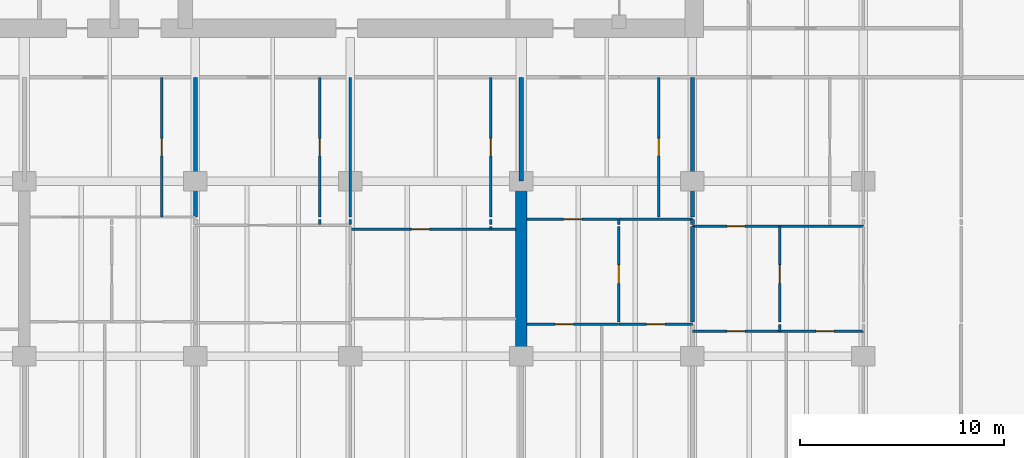
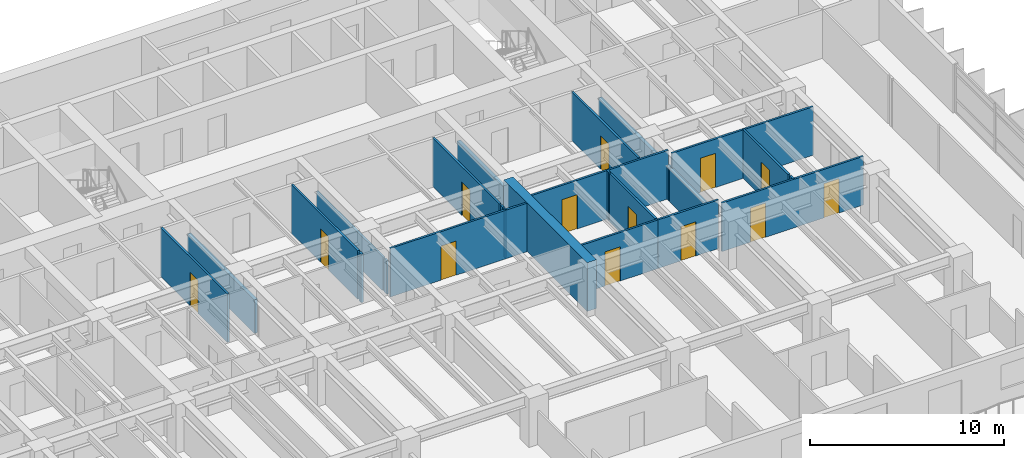
# One storey, part 9 of 18: 26 walls, 13 doors, 13 openings.
"""IFC4 building model written with IfcOpenShell, lengths in metres."""

from ifc_helpers import new_model, si_unit, direction, frame, frame_2d, origin, place, context, subcontext, project, spatial, rectangle, extrude, material, layer, layer_set, type_object, element, fill, save


model = new_model("IFC4")

# Units and contexts
model_context = context("Model", 3, precision=1e-05, world=origin(), true_north=direction((0.0, 1.0)))
body_context = subcontext(model_context, "Body", "Model", "MODEL_VIEW")
ifc_project = project(units=[si_unit("LENGTHUNIT", "METRE"), si_unit("AREAUNIT", "SQUARE_METRE"), si_unit("VOLUMEUNIT", "CUBIC_METRE"), si_unit("PLANEANGLEUNIT", "RADIAN"), si_unit("MASSUNIT", "GRAM", prefix="KILO")], contexts=[model_context])

# Site, building, storey
site_placement = place(None, origin())
site = spatial("IfcSite", under=ifc_project, at=site_placement, CompositionType="ELEMENT")
building_placement = place(site_placement, origin())
building = spatial("IfcBuilding", under=site, at=building_placement, Name="Caelmar Bay Residences", CompositionType="ELEMENT")
storey_placement = place(building_placement, frame((0.0, 0.0, 36.60009765625)))
storey = spatial("IfcBuildingStorey", under=building, at=storey_placement, Name="L08", CompositionType="ELEMENT", Elevation=36.60009765625)

# Wall
ifc_material_1 = material(Name="Concrete f'c 70 MPa (10,000 psi)", Category="concrete")
ifc_layer_1 = layer(ifc_material_1, 0.550048828125)
ifc_layer_set_1 = layer_set([ifc_layer_1], Name="Concrete f'c 70 MPa (10,000 psi)")
wall_type_1 = type_object("IfcWallType", Name="SW-XSLB-550", PredefinedType="SHEAR", material=ifc_layer_set_1)
wall_1_placement = place(storey_placement, frame((51.10009765625, 20.800048828125, 0.0), z_axis=(0.0, 0.0, 1.0), x_axis=(0.0, 1.0, 0.0)))
element("IfcWall", 1, at=wall_1_placement, inside=storey, type_object=wall_type_1, Name="L08 Transverse Cross-Slab Shear Wall E8", PredefinedType="SHEAR", context=body_context, shape_type="SweptSolid", body=[
    extrude(rectangle(XDim=8.599853515625, YDim=0.550048828125, at=frame_2d((4.2998046875, 0.0))), origin(), (0.0, 0.0, 1.0), 3.0498046875),
])

# Wall, opening, door
ifc_material_2 = material(Name="Acoustic metal-stud gypsum partition 120 mm")
ifc_layer_2 = layer(ifc_material_2, 0.1201171875)
ifc_layer_set_2 = layer_set([ifc_layer_2], Name="Acoustic metal-stud gypsum partition 120 mm")
wall_type_2 = type_object("IfcWallType", Name="W-PRT-120", PredefinedType="PARTITIONING", material=ifc_layer_set_2)
wall_2_placement = place(storey_placement, frame((33.449951171875, 27.639892578125, 0.0), z_axis=(0.0, 0.0, 1.0), x_axis=(0.0, 1.0, 0.0)))
wall_2 = element("IfcWall", 2, at=wall_2_placement, inside=storey, type_object=wall_type_2, Name="L08 Partition Wall V042", PredefinedType="PARTITIONING", context=body_context, shape_type="SweptSolid", body=[
    extrude(rectangle(XDim=6.860107421875, YDim=0.1201171875, at=frame_2d((3.43017578125, 0.0))), origin(), (0.0, 0.0, 1.0), 3.0498046875),
])
opening_1_placement = place(wall_2_placement, frame((3.0048828125, 0.0, 0.0)))
opening_1 = element("IfcOpeningElement", 3, at=opening_1_placement, cuts=wall_2, Name="Opening D-L08-137", PredefinedType="OPENING", context=body_context, shape_type="SweptSolid", body=[
    extrude(rectangle(XDim=0.85009765625, YDim=2.10009765625, at=frame_2d((0.425048828125, 1.050048828125))), frame((0.0, 0.070068359375, 0.0), z_axis=(0.0, -1.0, 0.0), x_axis=(1.0, 0.0, 0.0)), (0.0, 0.0, 1.0), 0.14013671875),
])
ifc_material_3 = material(Name="Solid walnut timber interior door leaf and frame", Category="wood")
ifc_layer_3 = layer(ifc_material_3, 0.050048828125)
ifc_layer_set_3 = layer_set([ifc_layer_3], Name="Solid walnut timber interior door leaf and frame")
door_type_1 = type_object("IfcDoorType", Name="D-BATH-850", OperationType="NOTDEFINED", PredefinedType="DOOR", material=ifc_layer_set_3)
door_1_placement = place(opening_1_placement, origin())
door_1 = element("IfcDoor", 4, at=door_1_placement, inside=storey, type_object=door_type_1, Name="L08 Residence 03 Bathroom Door", OperationType="SINGLE_SWING_LEFT", OverallHeight=2.10009765625, OverallWidth=0.85009765625, PredefinedType="DOOR", context=body_context, shape_type="SweptSolid", body=[
    extrude(rectangle(XDim=0.85009765625, YDim=2.10009765625, at=frame_2d((0.425048828125, 1.050048828125))), frame((0.0, 0.02490234375, 0.0), z_axis=(0.0, -1.0, 0.0), x_axis=(1.0, 0.0, 0.0)), (0.0, 0.0, 1.0), 0.050048828125),
])
fill(opening_1, door_1)

# Wall
wall_3_placement = place(storey_placement, frame((41.199951171875, 27.280029296875, 0.0), z_axis=(0.0, 0.0, 1.0), x_axis=(0.0, 1.0, 0.0)))
element("IfcWall", 5, at=wall_3_placement, inside=storey, type_object=wall_type_2, Name="L08 Partition Wall V050", PredefinedType="PARTITIONING", context=body_context, shape_type="SweptSolid", body=[
    extrude(rectangle(XDim=0.239990234375, YDim=0.1201171875, at=frame_2d((0.1201171875, 0.0))), origin(), (0.0, 0.0, 1.0), 3.0498046875),
])

# Wall, opening, door
wall_4_placement = place(storey_placement, frame((41.199951171875, 27.639892578125, 0.0), z_axis=(0.0, 0.0, 1.0), x_axis=(0.0, 1.0, 0.0)))
wall_4 = element("IfcWall", 6, at=wall_4_placement, inside=storey, type_object=wall_type_2, Name="L08 Partition Wall V051", PredefinedType="PARTITIONING", context=body_context, shape_type="SweptSolid", body=[
    extrude(rectangle(XDim=6.860107421875, YDim=0.1201171875, at=frame_2d((3.43017578125, 0.0))), origin(), (0.0, 0.0, 1.0), 3.0498046875),
])
opening_2_placement = place(wall_4_placement, frame((3.0048828125, 0.0, 0.0)))
opening_2 = element("IfcOpeningElement", 7, at=opening_2_placement, cuts=wall_4, Name="Opening D-L08-144", PredefinedType="OPENING", context=body_context, shape_type="SweptSolid", body=[
    extrude(rectangle(XDim=0.85009765625, YDim=2.10009765625, at=frame_2d((0.425048828125, 1.050048828125))), frame((0.0, 0.070068359375, 0.0), z_axis=(0.0, -1.0, 0.0), x_axis=(1.0, 0.0, 0.0)), (0.0, 0.0, 1.0), 0.14013671875),
])
door_2_placement = place(opening_2_placement, origin())
door_2 = element("IfcDoor", 8, at=door_2_placement, inside=storey, type_object=door_type_1, Name="L08 Residence 04 Guest Bathroom Door", OperationType="SINGLE_SWING_RIGHT", OverallHeight=2.10009765625, OverallWidth=0.85009765625, PredefinedType="DOOR", context=body_context, shape_type="SweptSolid", body=[
    extrude(rectangle(XDim=0.85009765625, YDim=2.10009765625, at=frame_2d((0.425048828125, 1.050048828125))), frame((0.0, 0.02490234375, 0.0), z_axis=(0.0, -1.0, 0.0), x_axis=(1.0, 0.0, 0.0)), (0.0, 0.0, 1.0), 0.050048828125),
])
fill(opening_2, door_2)

# Walls
wall_5_placement = place(storey_placement, frame((42.699951171875, 27.280029296875, 0.0), z_axis=(0.0, 0.0, 1.0), x_axis=(0.0, 1.0, 0.0)))
element("IfcWall", 9, at=wall_5_placement, inside=storey, type_object=wall_type_2, Name="L08 Partition Wall V056", PredefinedType="PARTITIONING", context=body_context, shape_type="SweptSolid", body=[
    extrude(rectangle(XDim=0.239990234375, YDim=0.1201171875, at=frame_2d((0.1201171875, 0.0))), origin(), (0.0, 0.0, 1.0), 2.10986328125),
])
wall_6_placement = place(storey_placement, frame((42.699951171875, 27.639892578125, 0.0), z_axis=(0.0, 0.0, 1.0), x_axis=(0.0, 1.0, 0.0)))
element("IfcWall", 10, at=wall_6_placement, inside=storey, type_object=wall_type_2, Name="L08 Partition Wall V057", PredefinedType="PARTITIONING", context=body_context, shape_type="SweptSolid", body=[
    extrude(rectangle(XDim=6.860107421875, YDim=0.1201171875, at=frame_2d((3.43017578125, 0.0))), origin(), (0.0, 0.0, 1.0), 2.10986328125),
])
wall_7_placement = place(storey_placement, frame((49.60009765625, 27.0400390625, 0.0), z_axis=(0.0, 0.0, 1.0), x_axis=(0.0, 1.0, 0.0)))
element("IfcWall", 11, at=wall_7_placement, inside=storey, type_object=wall_type_2, Name="L08 Partition Wall V062", PredefinedType="PARTITIONING", context=body_context, shape_type="SweptSolid", body=[
    extrude(rectangle(XDim=0.139892578125, YDim=0.1201171875, at=frame_2d((0.06982421875, 0.0))), origin(), (0.0, 0.0, 1.0), 3.0498046875),
])
wall_8_placement = place(storey_placement, frame((49.60009765625, 27.280029296875, 0.0), z_axis=(0.0, 0.0, 1.0), x_axis=(0.0, 1.0, 0.0)))
element("IfcWall", 12, at=wall_8_placement, inside=storey, type_object=wall_type_2, Name="L08 Partition Wall V063", PredefinedType="PARTITIONING", context=body_context, shape_type="SweptSolid", body=[
    extrude(rectangle(XDim=0.239990234375, YDim=0.1201171875, at=frame_2d((0.1201171875, 0.0))), origin(), (0.0, 0.0, 1.0), 3.0498046875),
])

# Wall, opening, door
wall_9_placement = place(storey_placement, frame((49.60009765625, 27.639892578125, 0.0), z_axis=(0.0, 0.0, 1.0), x_axis=(0.0, 1.0, 0.0)))
wall_9 = element("IfcWall", 13, at=wall_9_placement, inside=storey, type_object=wall_type_2, Name="L08 Partition Wall V064", PredefinedType="PARTITIONING", context=body_context, shape_type="SweptSolid", body=[
    extrude(rectangle(XDim=6.860107421875, YDim=0.1201171875, at=frame_2d((3.43017578125, 0.0))), origin(), (0.0, 0.0, 1.0), 3.0498046875),
])
opening_3_placement = place(wall_9_placement, frame((3.0048828125, 0.0, 0.0)))
opening_3 = element("IfcOpeningElement", 14, at=opening_3_placement, cuts=wall_9, Name="Opening D-L08-149", PredefinedType="OPENING", context=body_context, shape_type="SweptSolid", body=[
    extrude(rectangle(XDim=0.85009765625, YDim=2.10009765625, at=frame_2d((0.425048828125, 1.050048828125))), frame((0.0, 0.070068359375, 0.0), z_axis=(0.0, -1.0, 0.0), x_axis=(1.0, 0.0, 0.0)), (0.0, 0.0, 1.0), 0.14013671875),
])
door_3_placement = place(opening_3_placement, origin())
door_3 = element("IfcDoor", 15, at=door_3_placement, inside=storey, type_object=door_type_1, Name="L08 Residence 04 En-Suite Bathroom 1 Door", OperationType="SINGLE_SWING_LEFT", OverallHeight=2.10009765625, OverallWidth=0.85009765625, PredefinedType="DOOR", context=body_context, shape_type="SweptSolid", body=[
    extrude(rectangle(XDim=0.85009765625, YDim=2.10009765625, at=frame_2d((0.425048828125, 1.050048828125))), frame((0.0, 0.02490234375, 0.0), z_axis=(0.0, -1.0, 0.0), x_axis=(1.0, 0.0, 0.0)), (0.0, 0.0, 1.0), 0.050048828125),
])
fill(opening_3, door_3)

wall_10_placement = place(storey_placement, frame((55.885986328125, 22.489990234375, 0.0), z_axis=(0.0, 0.0, 1.0), x_axis=(0.0, 1.0, 0.0)))
wall_10 = element("IfcWall", 16, at=wall_10_placement, inside=storey, type_object=wall_type_2, Name="L08 Partition Wall V074", PredefinedType="PARTITIONING", context=body_context, shape_type="SweptSolid", body=[
    extrude(rectangle(XDim=4.68994140625, YDim=0.1201171875, at=frame_2d((2.344970703125, 0.0))), origin(), (0.0, 0.0, 1.0), 3.0498046875),
])
opening_4_placement = place(wall_10_placement, frame((1.89501953125, 0.0, 0.0)))
opening_4 = element("IfcOpeningElement", 17, at=opening_4_placement, cuts=wall_10, Name="Opening D-L08-155", PredefinedType="OPENING", context=body_context, shape_type="SweptSolid", body=[
    extrude(rectangle(XDim=0.89990234375, YDim=2.14990234375, at=frame_2d((0.449951171875, 1.074951171875))), frame((0.0, 0.070068359375, 0.0), z_axis=(0.0, -1.0, 0.0), x_axis=(1.0, 0.0, 0.0)), (0.0, 0.0, 1.0), 0.14013671875),
])
ifc_layer_4 = layer(ifc_material_3, 0.050048828125)
ifc_layer_set_4 = layer_set([ifc_layer_4], Name="Solid walnut timber interior door leaf and frame")
door_type_2 = type_object("IfcDoorType", Name="D-ROOM-900", OperationType="NOTDEFINED", PredefinedType="DOOR", material=ifc_layer_set_4)
door_4_placement = place(opening_4_placement, origin())
door_4 = element("IfcDoor", 18, at=door_4_placement, inside=storey, type_object=door_type_2, Name="L08 Residence 05 Study Door", OperationType="SINGLE_SWING_LEFT", OverallHeight=2.14990234375, OverallWidth=0.89990234375, PredefinedType="DOOR", context=body_context, shape_type="SweptSolid", body=[
    extrude(rectangle(XDim=0.89990234375, YDim=2.14990234375, at=frame_2d((0.449951171875, 1.074951171875))), frame((0.0, 0.02490234375, 0.0), z_axis=(0.0, -1.0, 0.0), x_axis=(1.0, 0.0, 0.0)), (0.0, 0.0, 1.0), 0.050048828125),
])
fill(opening_4, door_4)

# Wall
wall_11_placement = place(storey_placement, frame((55.885986328125, 27.280029296875, 0.0), z_axis=(0.0, 0.0, 1.0), x_axis=(0.0, 1.0, 0.0)))
element("IfcWall", 19, at=wall_11_placement, inside=storey, type_object=wall_type_2, Name="L08 Partition Wall V075", PredefinedType="PARTITIONING", context=body_context, shape_type="SweptSolid", body=[
    extrude(rectangle(XDim=0.239990234375, YDim=0.1201171875, at=frame_2d((0.1201171875, 0.0))), origin(), (0.0, 0.0, 1.0), 3.0498046875),
])

# Wall, opening, door
wall_12_placement = place(storey_placement, frame((57.85009765625, 27.639892578125, 0.0), z_axis=(0.0, 0.0, 1.0), x_axis=(0.0, 1.0, 0.0)))
wall_12 = element("IfcWall", 20, at=wall_12_placement, inside=storey, type_object=wall_type_2, Name="L08 Partition Wall V077", PredefinedType="PARTITIONING", context=body_context, shape_type="SweptSolid", body=[
    extrude(rectangle(XDim=6.860107421875, YDim=0.1201171875, at=frame_2d((3.43017578125, 0.0))), origin(), (0.0, 0.0, 1.0), 3.0498046875),
])
opening_5_placement = place(wall_12_placement, frame((3.0048828125, 0.0, 0.0)))
opening_5 = element("IfcOpeningElement", 21, at=opening_5_placement, cuts=wall_12, Name="Opening D-L08-153", PredefinedType="OPENING", context=body_context, shape_type="SweptSolid", body=[
    extrude(rectangle(XDim=0.85009765625, YDim=2.10009765625, at=frame_2d((0.425048828125, 1.050048828125))), frame((0.0, 0.070068359375, 0.0), z_axis=(0.0, -1.0, 0.0), x_axis=(1.0, 0.0, 0.0)), (0.0, 0.0, 1.0), 0.14013671875),
])
door_5_placement = place(opening_5_placement, origin())
door_5 = element("IfcDoor", 22, at=door_5_placement, inside=storey, type_object=door_type_1, Name="L08 Residence 05 Bathroom Door", OperationType="SINGLE_SWING_LEFT", OverallHeight=2.10009765625, OverallWidth=0.85009765625, PredefinedType="DOOR", context=body_context, shape_type="SweptSolid", body=[
    extrude(rectangle(XDim=0.85009765625, YDim=2.10009765625, at=frame_2d((0.425048828125, 1.050048828125))), frame((0.0, 0.02490234375, 0.0), z_axis=(0.0, -1.0, 0.0), x_axis=(1.0, 0.0, 0.0)), (0.0, 0.0, 1.0), 0.050048828125),
])
fill(opening_5, door_5)

# Wall
wall_13_placement = place(storey_placement, frame((63.785888671875, 22.030029296875, 0.0), z_axis=(0.0, 0.0, 1.0), x_axis=(0.0, 1.0, 0.0)))
element("IfcWall", 23, at=wall_13_placement, inside=storey, type_object=wall_type_2, Name="L08 Partition Wall V084", PredefinedType="PARTITIONING", context=body_context, shape_type="SweptSolid", body=[
    extrude(rectangle(XDim=0.340087890625, YDim=0.1201171875, at=frame_2d((0.169921875, 0.0))), origin(), (0.0, 0.0, 1.0), 3.0498046875),
])

# Wall, opening, door
wall_14_placement = place(storey_placement, frame((63.785888671875, 22.489990234375, 0.0), z_axis=(0.0, 0.0, 1.0), x_axis=(0.0, 1.0, 0.0)))
wall_14 = element("IfcWall", 24, at=wall_14_placement, inside=storey, type_object=wall_type_2, Name="L08 Partition Wall V085", PredefinedType="PARTITIONING", context=body_context, shape_type="SweptSolid", body=[
    extrude(rectangle(XDim=4.68994140625, YDim=0.1201171875, at=frame_2d((2.344970703125, 0.0))), origin(), (0.0, 0.0, 1.0), 3.0498046875),
])
opening_6_placement = place(wall_14_placement, frame((1.89501953125, 0.0, 0.0)))
opening_6 = element("IfcOpeningElement", 25, at=opening_6_placement, cuts=wall_14, Name="Opening D-L08-162", PredefinedType="OPENING", context=body_context, shape_type="SweptSolid", body=[
    extrude(rectangle(XDim=0.89990234375, YDim=2.14990234375, at=frame_2d((0.449951171875, 1.074951171875))), frame((0.0, 0.070068359375, 0.0), z_axis=(0.0, -1.0, 0.0), x_axis=(1.0, 0.0, 0.0)), (0.0, 0.0, 1.0), 0.14013671875),
])
door_6_placement = place(opening_6_placement, origin())
door_6 = element("IfcDoor", 26, at=door_6_placement, inside=storey, type_object=door_type_2, Name="L08 Residence 06 Study Door", OperationType="SINGLE_SWING_RIGHT", OverallHeight=2.14990234375, OverallWidth=0.89990234375, PredefinedType="DOOR", context=body_context, shape_type="SweptSolid", body=[
    extrude(rectangle(XDim=0.89990234375, YDim=2.14990234375, at=frame_2d((0.449951171875, 1.074951171875))), frame((0.0, 0.02490234375, 0.0), z_axis=(0.0, -1.0, 0.0), x_axis=(1.0, 0.0, 0.0)), (0.0, 0.0, 1.0), 0.050048828125),
])
fill(opening_6, door_6)

# Wall, openings, doors
wall_15_placement = place(storey_placement, frame((59.5, 22.030029296875, 0.0), z_axis=(0.0, 0.0, 1.0), x_axis=(1.0, 0.0, 0.0)))
wall_15 = element("IfcWall", 27, at=wall_15_placement, inside=storey, type_object=wall_type_2, Name="L08 Partition Wall H110", PredefinedType="PARTITIONING", context=body_context, shape_type="SweptSolid", body=[
    extrude(rectangle(XDim=8.39990234375, YDim=0.1201171875, at=frame_2d((4.199951171875, 0.0))), origin(), (0.0, 0.0, 1.0), 3.0498046875),
])
opening_7_placement = place(wall_15_placement, frame((1.693115234375, 0.0, 0.0)))
opening_7 = element("IfcOpeningElement", 28, at=opening_7_placement, cuts=wall_15, Name="Opening D-L08-163", PredefinedType="OPENING", context=body_context, shape_type="SweptSolid", body=[
    extrude(rectangle(XDim=0.89990234375, YDim=2.14990234375, at=frame_2d((0.449951171875, 1.074951171875))), frame((0.0, 0.070068359375, 0.0), z_axis=(0.0, -1.0, 0.0), x_axis=(1.0, 0.0, 0.0)), (0.0, 0.0, 1.0), 0.14013671875),
])
opening_8_placement = place(wall_15_placement, frame((6.06005859375, 0.0, 0.0)))
opening_8 = element("IfcOpeningElement", 29, at=opening_8_placement, cuts=wall_15, Name="Opening D-L08-164", PredefinedType="OPENING", context=body_context, shape_type="SweptSolid", body=[
    extrude(rectangle(XDim=0.89990234375, YDim=2.14990234375, at=frame_2d((0.449951171875, 1.074951171875))), frame((0.0, 0.070068359375, 0.0), z_axis=(0.0, -1.0, 0.0), x_axis=(1.0, 0.0, 0.0)), (0.0, 0.0, 1.0), 0.14013671875),
])
door_7_placement = place(opening_7_placement, origin())
door_7 = element("IfcDoor", 30, at=door_7_placement, inside=storey, type_object=door_type_2, Name="L08 Residence 06 Penthouse Living Salon Door", OperationType="SINGLE_SWING_LEFT", OverallHeight=2.14990234375, OverallWidth=0.89990234375, PredefinedType="DOOR", context=body_context, shape_type="SweptSolid", body=[
    extrude(rectangle(XDim=0.89990234375, YDim=2.14990234375, at=frame_2d((0.449951171875, 1.074951171875))), frame((0.0, 0.02490234375, 0.0), z_axis=(0.0, -1.0, 0.0), x_axis=(1.0, 0.0, 0.0)), (0.0, 0.0, 1.0), 0.050048828125),
])
fill(opening_7, door_7)
door_8_placement = place(opening_8_placement, origin())
door_8 = element("IfcDoor", 31, at=door_8_placement, inside=storey, type_object=door_type_2, Name="L08 Residence 06 Penthouse Sitting Room Door", OperationType="SINGLE_SWING_RIGHT", OverallHeight=2.14990234375, OverallWidth=0.89990234375, PredefinedType="DOOR", context=body_context, shape_type="SweptSolid", body=[
    extrude(rectangle(XDim=0.89990234375, YDim=2.14990234375, at=frame_2d((0.449951171875, 1.074951171875))), frame((0.0, 0.02490234375, 0.0), z_axis=(0.0, -1.0, 0.0), x_axis=(1.0, 0.0, 0.0)), (0.0, 0.0, 1.0), 0.050048828125),
])
fill(opening_8, door_8)

# Wall, opening, door
wall_16_placement = place(storey_placement, frame((51.3701171875, 22.3701171875, 0.0), z_axis=(0.0, 0.0, 1.0), x_axis=(1.0, 0.0, 0.0)))
wall_16 = element("IfcWall", 32, at=wall_16_placement, inside=storey, type_object=wall_type_2, Name="L08 Partition Wall H112", PredefinedType="PARTITIONING", context=body_context, shape_type="SweptSolid", body=[
    extrude(rectangle(XDim=4.515869140625, YDim=0.1201171875, at=frame_2d((2.2578125, 0.0))), origin(), (0.0, 0.0, 1.0), 3.0498046875),
])
opening_9_placement = place(wall_16_placement, frame((1.388916015625, 0.0, 0.0)))
opening_9 = element("IfcOpeningElement", 33, at=opening_9_placement, cuts=wall_16, Name="Opening D-L08-156", PredefinedType="OPENING", context=body_context, shape_type="SweptSolid", body=[
    extrude(rectangle(XDim=0.89990234375, YDim=2.14990234375, at=frame_2d((0.449951171875, 1.074951171875))), frame((0.0, 0.070068359375, 0.0), z_axis=(0.0, -1.0, 0.0), x_axis=(1.0, 0.0, 0.0)), (0.0, 0.0, 1.0), 0.14013671875),
])
door_9_placement = place(opening_9_placement, origin())
door_9 = element("IfcDoor", 34, at=door_9_placement, inside=storey, type_object=door_type_2, Name="L08 Residence 05 Living Room Door", OperationType="SINGLE_SWING_RIGHT", OverallHeight=2.14990234375, OverallWidth=0.89990234375, PredefinedType="DOOR", context=body_context, shape_type="SweptSolid", body=[
    extrude(rectangle(XDim=0.89990234375, YDim=2.14990234375, at=frame_2d((0.449951171875, 1.074951171875))), frame((0.0, 0.02490234375, 0.0), z_axis=(0.0, -1.0, 0.0), x_axis=(1.0, 0.0, 0.0)), (0.0, 0.0, 1.0), 0.050048828125),
])
fill(opening_9, door_9)

wall_17_placement = place(storey_placement, frame((55.89990234375, 22.3701171875, 0.0), z_axis=(0.0, 0.0, 1.0), x_axis=(1.0, 0.0, 0.0)))
wall_17 = element("IfcWall", 35, at=wall_17_placement, inside=storey, type_object=wall_type_2, Name="L08 Partition Wall H113", PredefinedType="PARTITIONING", context=body_context, shape_type="SweptSolid", body=[
    extrude(rectangle(XDim=3.60009765625, YDim=0.1201171875, at=frame_2d((1.800048828125, 0.0))), origin(), (0.0, 0.0, 1.0), 3.0498046875),
])
opening_10_placement = place(wall_17_placement, frame((1.35009765625, 0.0, 0.0)))
opening_10 = element("IfcOpeningElement", 36, at=opening_10_placement, cuts=wall_17, Name="Opening D-L08-157", PredefinedType="OPENING", context=body_context, shape_type="SweptSolid", body=[
    extrude(rectangle(XDim=0.89990234375, YDim=2.14990234375, at=frame_2d((0.449951171875, 1.074951171875))), frame((0.0, 0.070068359375, 0.0), z_axis=(0.0, -1.0, 0.0), x_axis=(1.0, 0.0, 0.0)), (0.0, 0.0, 1.0), 0.14013671875),
])
door_10_placement = place(opening_10_placement, origin())
door_10 = element("IfcDoor", 37, at=door_10_placement, inside=storey, type_object=door_type_2, Name="L08 Residence 05 Penthouse Sitting Room Door", OperationType="SINGLE_SWING_LEFT", OverallHeight=2.14990234375, OverallWidth=0.89990234375, PredefinedType="DOOR", context=body_context, shape_type="SweptSolid", body=[
    extrude(rectangle(XDim=0.89990234375, YDim=2.14990234375, at=frame_2d((0.449951171875, 1.074951171875))), frame((0.0, 0.02490234375, 0.0), z_axis=(0.0, -1.0, 0.0), x_axis=(1.0, 0.0, 0.0)), (0.0, 0.0, 1.0), 0.050048828125),
])
fill(opening_10, door_10)

wall_18_placement = place(storey_placement, frame((42.699951171875, 27.0400390625, 0.0), z_axis=(0.0, 0.0, 1.0), x_axis=(1.0, 0.0, 0.0)))
wall_18 = element("IfcWall", 38, at=wall_18_placement, inside=storey, type_object=wall_type_2, Name="L08 Partition Wall H118", PredefinedType="PARTITIONING", context=body_context, shape_type="SweptSolid", body=[
    extrude(rectangle(XDim=8.130126953125, YDim=0.1201171875, at=frame_2d((4.06494140625, 0.0))), origin(), (0.0, 0.0, 1.0), 3.0498046875),
])
opening_11_placement = place(wall_18_placement, frame((3.0, 0.0, 0.0)))
opening_11 = element("IfcOpeningElement", 39, at=opening_11_placement, cuts=wall_18, Name="Opening D-L08-148", PredefinedType="OPENING", context=body_context, shape_type="SweptSolid", body=[
    extrude(rectangle(XDim=0.89990234375, YDim=2.14990234375, at=frame_2d((0.449951171875, 1.074951171875))), frame((0.0, 0.070068359375, 0.0), z_axis=(0.0, -1.0, 0.0), x_axis=(1.0, 0.0, 0.0)), (0.0, 0.0, 1.0), 0.14013671875),
])
door_11_placement = place(opening_11_placement, origin())
door_11 = element("IfcDoor", 40, at=door_11_placement, inside=storey, type_object=door_type_2, Name="L08 Residence 04 Sitting Room 1 Door", OperationType="SINGLE_SWING_RIGHT", OverallHeight=2.14990234375, OverallWidth=0.89990234375, PredefinedType="DOOR", context=body_context, shape_type="SweptSolid", body=[
    extrude(rectangle(XDim=0.89990234375, YDim=2.14990234375, at=frame_2d((0.449951171875, 1.074951171875))), frame((0.0, 0.02490234375, 0.0), z_axis=(0.0, -1.0, 0.0), x_axis=(1.0, 0.0, 0.0)), (0.0, 0.0, 1.0), 0.050048828125),
])
fill(opening_11, door_11)

wall_19_placement = place(storey_placement, frame((59.5, 27.179931640625, 0.0), z_axis=(0.0, 0.0, 1.0), x_axis=(1.0, 0.0, 0.0)))
wall_19 = element("IfcWall", 41, at=wall_19_placement, inside=storey, type_object=wall_type_2, Name="L08 Partition Wall H119", PredefinedType="PARTITIONING", context=body_context, shape_type="SweptSolid", body=[
    extrude(rectangle(XDim=8.39990234375, YDim=0.1201171875, at=frame_2d((4.199951171875, 0.0))), origin(), (0.0, 0.0, 1.0), 3.0498046875),
])
opening_12_placement = place(wall_19_placement, frame((1.693115234375, 0.0, 0.0)))
opening_12 = element("IfcOpeningElement", 42, at=opening_12_placement, cuts=wall_19, Name="Opening D-L08-161", PredefinedType="OPENING", context=body_context, shape_type="SweptSolid", body=[
    extrude(rectangle(XDim=0.89990234375, YDim=2.14990234375, at=frame_2d((0.449951171875, 1.074951171875))), frame((0.0, 0.070068359375, 0.0), z_axis=(0.0, -1.0, 0.0), x_axis=(1.0, 0.0, 0.0)), (0.0, 0.0, 1.0), 0.14013671875),
])
door_12_placement = place(opening_12_placement, origin())
door_12 = element("IfcDoor", 43, at=door_12_placement, inside=storey, type_object=door_type_2, Name="L08 Residence 06 Kitchen Door", OperationType="SINGLE_SWING_LEFT", OverallHeight=2.14990234375, OverallWidth=0.89990234375, PredefinedType="DOOR", context=body_context, shape_type="SweptSolid", body=[
    extrude(rectangle(XDim=0.89990234375, YDim=2.14990234375, at=frame_2d((0.449951171875, 1.074951171875))), frame((0.0, 0.02490234375, 0.0), z_axis=(0.0, -1.0, 0.0), x_axis=(1.0, 0.0, 0.0)), (0.0, 0.0, 1.0), 0.050048828125),
])
fill(opening_12, door_12)

wall_20_placement = place(storey_placement, frame((51.3701171875, 27.52001953125, 0.0), z_axis=(0.0, 0.0, 1.0), x_axis=(1.0, 0.0, 0.0)))
wall_20 = element("IfcWall", 44, at=wall_20_placement, inside=storey, type_object=wall_type_2, Name="L08 Partition Wall H122", PredefinedType="PARTITIONING", context=body_context, shape_type="SweptSolid", body=[
    extrude(rectangle(XDim=4.515869140625, YDim=0.1201171875, at=frame_2d((2.2578125, 0.0))), origin(), (0.0, 0.0, 1.0), 3.0498046875),
])
opening_13_placement = place(wall_20_placement, frame((1.80810546875, 0.0, 0.0)))
opening_13 = element("IfcOpeningElement", 45, at=opening_13_placement, cuts=wall_20, Name="Opening D-L08-154", PredefinedType="OPENING", context=body_context, shape_type="SweptSolid", body=[
    extrude(rectangle(XDim=0.89990234375, YDim=2.14990234375, at=frame_2d((0.449951171875, 1.074951171875))), frame((0.0, 0.070068359375, 0.0), z_axis=(0.0, -1.0, 0.0), x_axis=(1.0, 0.0, 0.0)), (0.0, 0.0, 1.0), 0.14013671875),
])
door_13_placement = place(opening_13_placement, origin())
door_13 = element("IfcDoor", 46, at=door_13_placement, inside=storey, type_object=door_type_2, Name="L08 Residence 05 Kitchen Door", OperationType="SINGLE_SWING_RIGHT", OverallHeight=2.14990234375, OverallWidth=0.89990234375, PredefinedType="DOOR", context=body_context, shape_type="SweptSolid", body=[
    extrude(rectangle(XDim=0.89990234375, YDim=2.14990234375, at=frame_2d((0.449951171875, 1.074951171875))), frame((0.0, 0.02490234375, 0.0), z_axis=(0.0, -1.0, 0.0), x_axis=(1.0, 0.0, 0.0)), (0.0, 0.0, 1.0), 0.050048828125),
])
fill(opening_13, door_13)

# Walls
wall_21_placement = place(storey_placement, frame((55.89990234375, 27.52001953125, 0.0), z_axis=(0.0, 0.0, 1.0), x_axis=(1.0, 0.0, 0.0)))
element("IfcWall", 47, at=wall_21_placement, inside=storey, type_object=wall_type_2, Name="L08 Partition Wall H123", PredefinedType="PARTITIONING", context=body_context, shape_type="SweptSolid", body=[
    extrude(rectangle(XDim=3.60009765625, YDim=0.1201171875, at=frame_2d((1.800048828125, 0.0))), origin(), (0.0, 0.0, 1.0), 3.0498046875),
])
ifc_material_4 = material(Name="Acoustic twin-stud fire-rated inter-tenancy partition 200 mm")
ifc_layer_5 = layer(ifc_material_4, 0.199951171875)
ifc_layer_set_5 = layer_set([ifc_layer_5], Name="Acoustic twin-stud fire-rated inter-tenancy partition 200 mm")
wall_type_3 = type_object("IfcWallType", Name="W-PTY-200", PredefinedType="PARTITIONING", material=ifc_layer_set_5)
wall_22_placement = place(storey_placement, frame((35.10009765625, 27.639892578125, 0.0), z_axis=(0.0, 0.0, 1.0), x_axis=(0.0, 1.0, 0.0)))
element("IfcWall", 48, at=wall_22_placement, inside=storey, type_object=wall_type_3, Name="L08 Partition Wall V047", PredefinedType="PARTITIONING", context=body_context, shape_type="SweptSolid", body=[
    extrude(rectangle(XDim=6.860107421875, YDim=0.199951171875, at=frame_2d((3.43017578125, 0.0))), origin(), (0.0, 0.0, 1.0), 2.10986328125),
])
wall_23_placement = place(storey_placement, frame((51.10009765625, 29.405029296875, 0.0), z_axis=(0.0, 0.0, 1.0), x_axis=(0.0, 1.0, 0.0)))
element("IfcWall", 49, at=wall_23_placement, inside=storey, type_object=wall_type_3, Name="L08 Partition Wall V070", PredefinedType="PARTITIONING", context=body_context, shape_type="SweptSolid", body=[
    extrude(rectangle(XDim=5.094970703125, YDim=0.199951171875, at=frame_2d((2.54736328125, 0.0))), origin(), (0.0, 0.0, 1.0), 2.3349609375),
])
wall_24_placement = place(storey_placement, frame((59.5, 22.489990234375, 0.0), z_axis=(0.0, 0.0, 1.0), x_axis=(0.0, 1.0, 0.0)))
element("IfcWall", 50, at=wall_24_placement, inside=storey, type_object=wall_type_3, Name="L08 Partition Wall V080", PredefinedType="PARTITIONING", context=body_context, shape_type="SweptSolid", body=[
    extrude(rectangle(XDim=4.68994140625, YDim=0.199951171875, at=frame_2d((2.344970703125, 0.0))), origin(), (0.0, 0.0, 1.0), 2.10986328125),
])
wall_25_placement = place(storey_placement, frame((59.5, 27.280029296875, 0.0), z_axis=(0.0, 0.0, 1.0), x_axis=(0.0, 1.0, 0.0)))
element("IfcWall", 51, at=wall_25_placement, inside=storey, type_object=wall_type_3, Name="L08 Partition Wall V081", PredefinedType="PARTITIONING", context=body_context, shape_type="SweptSolid", body=[
    extrude(rectangle(XDim=0.239990234375, YDim=0.199951171875, at=frame_2d((0.1201171875, 0.0))), origin(), (0.0, 0.0, 1.0), 2.10986328125),
])
wall_26_placement = place(storey_placement, frame((59.5, 27.639892578125, 0.0), z_axis=(0.0, 0.0, 1.0), x_axis=(0.0, 1.0, 0.0)))
element("IfcWall", 52, at=wall_26_placement, inside=storey, type_object=wall_type_3, Name="L08 Partition Wall V082", PredefinedType="PARTITIONING", context=body_context, shape_type="SweptSolid", body=[
    extrude(rectangle(XDim=6.860107421875, YDim=0.199951171875, at=frame_2d((3.43017578125, 0.0))), origin(), (0.0, 0.0, 1.0), 2.10986328125),
])

save(model, "model.ifc")
